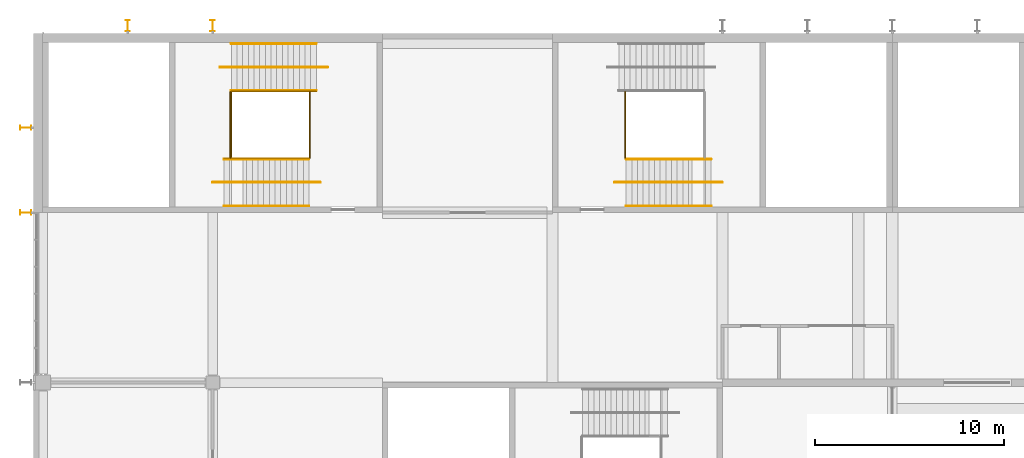
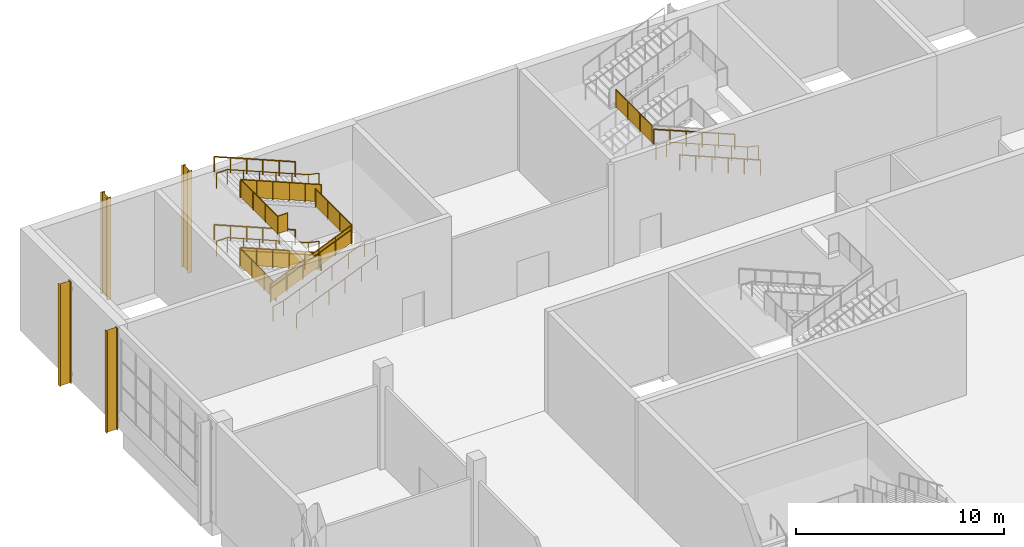
# One storey, part 84 of 89: 19 railings, 4 shading devices.
"""IFC4 building model written with IfcOpenShell, lengths in metres."""

from ifc_helpers import new_model, si_unit, direction, frame, origin, origin_2d, place, context, subcontext, project, spatial, polyline, circle, i_section, outline, extrude, material, material_profile, profile_set, type_object, element, save


model = new_model("IFC4")

# Units and contexts
model_context = context("Model", 3, precision=1e-05, world=origin(), true_north=direction((0.0, 1.0)))
body_context = subcontext(model_context, "Body", "Model", "MODEL_VIEW")
ifc_project = project(units=[si_unit("LENGTHUNIT", "METRE"), si_unit("AREAUNIT", "SQUARE_METRE"), si_unit("VOLUMEUNIT", "CUBIC_METRE"), si_unit("PLANEANGLEUNIT", "RADIAN"), si_unit("MASSUNIT", "GRAM", prefix="KILO")], contexts=[model_context])

# Site, building, storey
site_placement = place(None, origin())
site = spatial("IfcSite", under=ifc_project, at=site_placement, CompositionType="ELEMENT")
building_placement = place(site_placement, origin())
building = spatial("IfcBuilding", under=site, at=building_placement, Name="Silverbay Arena", CompositionType="ELEMENT")
storey_placement = place(building_placement, frame((0.0, 0.0, 22.0)))
storey = spatial("IfcBuildingStorey", under=building, at=storey_placement, Name="L03", CompositionType="ELEMENT", Elevation=22.0)

# Railings
ifc_material_1 = material(Name="Stainless steel", Category="steel")
railing_type_1 = type_object("IfcRailingType", Name="Stair guard 1100", PredefinedType="GUARDRAIL", material=ifc_material_1)
railing_1_placement = place(storey_placement, frame((84.85009765625, 137.89990234375, 4.0)))
element("IfcRailing", 1, at=railing_1_placement, inside=storey, type_object=railing_type_1, Name="Stair ST-N1 L03 to L04 landing 2 guard", PredefinedType="GUARDRAIL", context=body_context, shape_type="SweptSolid", body=[
    extrude(circle(Radius=0.02392578125, at=origin_2d()), frame((0.0, 0.0, 1.076171875), z_axis=(0.0, 1.0, 0.0), x_axis=(-1.0, 0.0, 0.0)), (0.0, 0.0, 1.0), 3.5),
    extrude(outline(polyline([(-0.008056640625, 0.050048828125), (1.174560546875, 0.050048828125), (1.174560546875, 1.052978515625), (-0.008056640625, 1.052978515625), (-0.008056640625, 0.050048828125)])), frame((-0.0029296875, 0.0, 0.0), z_axis=(1.0, 0.0, 0.0), x_axis=(0.0, 1.0, 0.0)), (0.0, 0.0, 1.0), 0.006103515625),
    extrude(outline(polyline([(-0.008056640625, 0.050048828125), (1.174560546875, 0.050048828125), (1.174560546875, 1.052978515625), (-0.008056640625, 1.052978515625), (-0.008056640625, 0.050048828125)])), frame((-0.0029296875, 1.166748046875, 0.0), z_axis=(1.0, 0.0, 0.0), x_axis=(0.0, 1.0, 0.0)), (0.0, 0.0, 1.0), 0.006103515625),
    extrude(outline(polyline([(-0.008056640625, 0.050048828125), (1.174560546875, 0.050048828125), (1.174560546875, 1.052978515625), (-0.008056640625, 1.052978515625), (-0.008056640625, 0.050048828125)])), frame((-0.0029296875, 2.333251953125, 0.0), z_axis=(1.0, 0.0, 0.0), x_axis=(0.0, 1.0, 0.0)), (0.0, 0.0, 1.0), 0.006103515625),
    extrude(circle(Radius=0.02099609375, at=origin_2d()), origin(), (0.0, 0.0, 1.0), 1.052001953125),
    extrude(circle(Radius=0.02099609375, at=origin_2d()), frame((0.0, 1.166748046875, 0.0)), (0.0, 0.0, 1.0), 1.052001953125),
    extrude(circle(Radius=0.02099609375, at=origin_2d()), frame((0.0, 2.333251953125, 0.0)), (0.0, 0.0, 1.0), 1.052001953125),
    extrude(circle(Radius=0.02099609375, at=origin_2d()), frame((0.0, 3.5, 0.0)), (0.0, 0.0, 1.0), 1.052001953125),
])
railing_2_placement = place(storey_placement, frame((68.489990234375, 141.425048828125, 0.125)))
element("IfcRailing", 2, at=railing_2_placement, inside=storey, type_object=railing_type_1, Name="Stair ST-N5 L03 to L04 flight 1 guard left", PredefinedType="GUARDRAIL", context=body_context, shape_type="SweptSolid", body=[
    extrude(circle(Radius=0.02392578125, at=origin_2d()), frame((0.0, 0.0, 1.076171875), z_axis=(-0.923076923077, 0.0, 0.384615384615), x_axis=(0.0, -1.0, 0.0)), (0.0, 0.0, 1.0), 4.875),
    extrude(outline(polyline([(-0.008056640625, 0.046630859375), (0.907958984375, 0.42822265625), (0.907958984375, 1.431396484375), (-0.008056640625, 1.049560546875), (-0.008056640625, 0.046630859375)])), frame((0.0, -0.0029296875, 0.0), z_axis=(0.0, 1.0, 0.0), x_axis=(-1.0, 0.0, 0.0)), (0.0, 0.0, 1.0), 0.006103515625),
    extrude(outline(polyline([(-0.008056640625, 0.421630859375), (0.907958984375, 0.80322265625), (0.907958984375, 1.806396484375), (-0.008056640625, 1.424560546875), (-0.008056640625, 0.421630859375)])), frame((-0.89990234375, -0.0029296875, 0.0), z_axis=(0.0, 1.0, 0.0), x_axis=(-1.0, 0.0, 0.0)), (0.0, 0.0, 1.0), 0.006103515625),
    extrude(outline(polyline([(-0.008056640625, 0.796630859375), (0.907958984375, 1.17822265625), (0.907958984375, 2.181396484375), (-0.008056640625, 1.799560546875), (-0.008056640625, 0.796630859375)])), frame((-1.800048828125, -0.0029296875, 0.0), z_axis=(0.0, 1.0, 0.0), x_axis=(-1.0, 0.0, 0.0)), (0.0, 0.0, 1.0), 0.006103515625),
    extrude(outline(polyline([(-0.008056640625, 1.171630859375), (0.907958984375, 1.55322265625), (0.907958984375, 2.556396484375), (-0.008056640625, 2.174560546875), (-0.008056640625, 1.171630859375)])), frame((-2.699951171875, -0.0029296875, 0.0), z_axis=(0.0, 1.0, 0.0), x_axis=(-1.0, 0.0, 0.0)), (0.0, 0.0, 1.0), 0.006103515625),
    extrude(outline(polyline([(-0.008056640625, 1.546630859375), (0.907958984375, 1.92822265625), (0.907958984375, 2.931396484375), (-0.008056640625, 2.549560546875), (-0.008056640625, 1.546630859375)])), frame((-3.60009765625, -0.0029296875, 0.0), z_axis=(0.0, 1.0, 0.0), x_axis=(-1.0, 0.0, 0.0)), (0.0, 0.0, 1.0), 0.006103515625),
    extrude(circle(Radius=0.02099609375, at=origin_2d()), origin(), (0.0, 0.0, 1.0), 1.052001953125),
    extrude(circle(Radius=0.02099609375, at=origin_2d()), frame((-0.89990234375, 0.0, 0.375)), (0.0, 0.0, 1.0), 1.052001953125),
    extrude(circle(Radius=0.02099609375, at=origin_2d()), frame((-1.800048828125, 0.0, 0.75)), (0.0, 0.0, 1.0), 1.052001953125),
    extrude(circle(Radius=0.02099609375, at=origin_2d()), frame((-2.699951171875, 0.0, 1.125)), (0.0, 0.0, 1.0), 1.052001953125),
    extrude(circle(Radius=0.02099609375, at=origin_2d()), frame((-3.60009765625, 0.0, 1.5)), (0.0, 0.0, 1.0), 1.052001953125),
    extrude(circle(Radius=0.02099609375, at=origin_2d()), frame((-4.5, 0.0, 1.875)), (0.0, 0.0, 1.0), 1.052001953125),
])
railing_3_placement = place(storey_placement, frame((63.60009765625, 137.875, 2.125)))
element("IfcRailing", 3, at=railing_3_placement, inside=storey, type_object=railing_type_1, Name="Stair ST-N5 L03 to L04 flight 2 guard right", PredefinedType="GUARDRAIL", context=body_context, shape_type="SweptSolid", body=[
    extrude(circle(Radius=0.02392578125, at=origin_2d()), frame((0.0, 0.0, 1.076171875), z_axis=(0.923076923077, 0.0, 0.384615384615), x_axis=(0.0, 1.0, 0.0)), (0.0, 0.0, 1.0), 4.875),
    extrude(outline(polyline([(-0.008056640625, 0.046630859375), (0.907958984375, 0.42822265625), (0.907958984375, 1.431396484375), (-0.008056640625, 1.049560546875), (-0.008056640625, 0.046630859375)])), frame((0.0, 0.0029296875, 0.0), z_axis=(0.0, -1.0, 0.0), x_axis=(1.0, 0.0, 0.0)), (0.0, 0.0, 1.0), 0.006103515625),
    extrude(outline(polyline([(-0.008056640625, 0.421630859375), (0.907958984375, 0.80322265625), (0.907958984375, 1.806396484375), (-0.008056640625, 1.424560546875), (-0.008056640625, 0.421630859375)])), frame((0.89990234375, 0.0029296875, 0.0), z_axis=(0.0, -1.0, 0.0), x_axis=(1.0, 0.0, 0.0)), (0.0, 0.0, 1.0), 0.006103515625),
    extrude(outline(polyline([(-0.008056640625, 0.796630859375), (0.907958984375, 1.17822265625), (0.907958984375, 2.181396484375), (-0.008056640625, 1.799560546875), (-0.008056640625, 0.796630859375)])), frame((1.800048828125, 0.0029296875, 0.0), z_axis=(0.0, -1.0, 0.0), x_axis=(1.0, 0.0, 0.0)), (0.0, 0.0, 1.0), 0.006103515625),
    extrude(outline(polyline([(-0.008056640625, 1.171630859375), (0.907958984375, 1.55322265625), (0.907958984375, 2.556396484375), (-0.008056640625, 2.174560546875), (-0.008056640625, 1.171630859375)])), frame((2.699951171875, 0.0029296875, 0.0), z_axis=(0.0, -1.0, 0.0), x_axis=(1.0, 0.0, 0.0)), (0.0, 0.0, 1.0), 0.006103515625),
    extrude(outline(polyline([(-0.008056640625, 1.546630859375), (0.907958984375, 1.92822265625), (0.907958984375, 2.931396484375), (-0.008056640625, 2.549560546875), (-0.008056640625, 1.546630859375)])), frame((3.60009765625, 0.0029296875, 0.0), z_axis=(0.0, -1.0, 0.0), x_axis=(1.0, 0.0, 0.0)), (0.0, 0.0, 1.0), 0.006103515625),
    extrude(circle(Radius=0.02099609375, at=origin_2d()), origin(), (0.0, 0.0, 1.0), 1.052001953125),
    extrude(circle(Radius=0.02099609375, at=origin_2d()), frame((0.89990234375, 0.0, 0.375)), (0.0, 0.0, 1.0), 1.052001953125),
    extrude(circle(Radius=0.02099609375, at=origin_2d()), frame((1.800048828125, 0.0, 0.75)), (0.0, 0.0, 1.0), 1.052001953125),
    extrude(circle(Radius=0.02099609375, at=origin_2d()), frame((2.699951171875, 0.0, 1.125)), (0.0, 0.0, 1.0), 1.052001953125),
    extrude(circle(Radius=0.02099609375, at=origin_2d()), frame((3.60009765625, 0.0, 1.5)), (0.0, 0.0, 1.0), 1.052001953125),
    extrude(circle(Radius=0.02099609375, at=origin_2d()), frame((4.5, 0.0, 1.875)), (0.0, 0.0, 1.0), 1.052001953125),
])
railing_4_placement = place(storey_placement, frame((68.489990234375, 141.425048828125, 4.125)))
element("IfcRailing", 4, at=railing_4_placement, inside=storey, type_object=railing_type_1, Name="Stair ST-N5 L03 to L04 flight 3 guard left", PredefinedType="GUARDRAIL", context=body_context, shape_type="SweptSolid", body=[
    extrude(circle(Radius=0.02392578125, at=origin_2d()), frame((0.0, 0.0, 1.076171875), z_axis=(-0.923076923077, 0.0, 0.384615384615), x_axis=(0.0, -1.0, 0.0)), (0.0, 0.0, 1.0), 4.875),
    extrude(outline(polyline([(-0.008056640625, 0.046630859375), (0.907958984375, 0.42822265625), (0.907958984375, 1.431396484375), (-0.008056640625, 1.049560546875), (-0.008056640625, 0.046630859375)])), frame((0.0, -0.0029296875, 0.0), z_axis=(0.0, 1.0, 0.0), x_axis=(-1.0, 0.0, 0.0)), (0.0, 0.0, 1.0), 0.006103515625),
    extrude(outline(polyline([(-0.008056640625, 0.421630859375), (0.907958984375, 0.80322265625), (0.907958984375, 1.806396484375), (-0.008056640625, 1.424560546875), (-0.008056640625, 0.421630859375)])), frame((-0.89990234375, -0.0029296875, 0.0), z_axis=(0.0, 1.0, 0.0), x_axis=(-1.0, 0.0, 0.0)), (0.0, 0.0, 1.0), 0.006103515625),
    extrude(outline(polyline([(-0.008056640625, 0.796630859375), (0.907958984375, 1.17822265625), (0.907958984375, 2.181396484375), (-0.008056640625, 1.799560546875), (-0.008056640625, 0.796630859375)])), frame((-1.800048828125, -0.0029296875, 0.0), z_axis=(0.0, 1.0, 0.0), x_axis=(-1.0, 0.0, 0.0)), (0.0, 0.0, 1.0), 0.006103515625),
    extrude(outline(polyline([(-0.008056640625, 1.171630859375), (0.907958984375, 1.55322265625), (0.907958984375, 2.556396484375), (-0.008056640625, 2.174560546875), (-0.008056640625, 1.171630859375)])), frame((-2.699951171875, -0.0029296875, 0.0), z_axis=(0.0, 1.0, 0.0), x_axis=(-1.0, 0.0, 0.0)), (0.0, 0.0, 1.0), 0.006103515625),
    extrude(outline(polyline([(-0.008056640625, 1.546630859375), (0.907958984375, 1.92822265625), (0.907958984375, 2.931396484375), (-0.008056640625, 2.549560546875), (-0.008056640625, 1.546630859375)])), frame((-3.60009765625, -0.0029296875, 0.0), z_axis=(0.0, 1.0, 0.0), x_axis=(-1.0, 0.0, 0.0)), (0.0, 0.0, 1.0), 0.006103515625),
    extrude(circle(Radius=0.02099609375, at=origin_2d()), origin(), (0.0, 0.0, 1.0), 1.052001953125),
    extrude(circle(Radius=0.02099609375, at=origin_2d()), frame((-0.89990234375, 0.0, 0.375)), (0.0, 0.0, 1.0), 1.052001953125),
    extrude(circle(Radius=0.02099609375, at=origin_2d()), frame((-1.800048828125, 0.0, 0.75)), (0.0, 0.0, 1.0), 1.052001953125),
    extrude(circle(Radius=0.02099609375, at=origin_2d()), frame((-2.699951171875, 0.0, 1.125)), (0.0, 0.0, 1.0), 1.052001953125),
    extrude(circle(Radius=0.02099609375, at=origin_2d()), frame((-3.60009765625, 0.0, 1.5)), (0.0, 0.0, 1.0), 1.052001953125),
    extrude(circle(Radius=0.02099609375, at=origin_2d()), frame((-4.5, 0.0, 1.875)), (0.0, 0.0, 1.0), 1.052001953125),
])
for number, where, name in (
    (5, (63.93994140625, 137.89990234375, 2.0), "Stair ST-N5 L03 to L04 landing 1 guard"),
    (6, (68.14990234375, 137.89990234375, 4.0), "Stair ST-N5 L03 to L04 landing 2 guard"),
):
    element("IfcRailing", number, at=place(storey_placement, frame(where)), inside=storey, type_object=railing_type_1, Name=name, PredefinedType="GUARDRAIL", context=body_context, shape_type="SweptSolid", body=[
        extrude(circle(Radius=0.02392578125, at=origin_2d()), frame((0.0, 0.0, 1.076171875), z_axis=(0.0, 1.0, 0.0), x_axis=(-1.0, 0.0, 0.0)), (0.0, 0.0, 1.0), 3.5),
        extrude(outline(polyline([(-0.008056640625, 0.050048828125), (1.174560546875, 0.050048828125), (1.174560546875, 1.052978515625), (-0.008056640625, 1.052978515625), (-0.008056640625, 0.050048828125)])), frame((-0.0029296875, 0.0, 0.0), z_axis=(1.0, 0.0, 0.0), x_axis=(0.0, 1.0, 0.0)), (0.0, 0.0, 1.0), 0.006103515625),
        extrude(outline(polyline([(-0.008056640625, 0.050048828125), (1.174560546875, 0.050048828125), (1.174560546875, 1.052978515625), (-0.008056640625, 1.052978515625), (-0.008056640625, 0.050048828125)])), frame((-0.0029296875, 1.166748046875, 0.0), z_axis=(1.0, 0.0, 0.0), x_axis=(0.0, 1.0, 0.0)), (0.0, 0.0, 1.0), 0.006103515625),
        extrude(outline(polyline([(-0.008056640625, 0.050048828125), (1.174560546875, 0.050048828125), (1.174560546875, 1.052978515625), (-0.008056640625, 1.052978515625), (-0.008056640625, 0.050048828125)])), frame((-0.0029296875, 2.333251953125, 0.0), z_axis=(1.0, 0.0, 0.0), x_axis=(0.0, 1.0, 0.0)), (0.0, 0.0, 1.0), 0.006103515625),
        extrude(circle(Radius=0.02099609375, at=origin_2d()), origin(), (0.0, 0.0, 1.0), 1.052001953125),
        extrude(circle(Radius=0.02099609375, at=origin_2d()), frame((0.0, 1.166748046875, 0.0)), (0.0, 0.0, 1.0), 1.052001953125),
        extrude(circle(Radius=0.02099609375, at=origin_2d()), frame((0.0, 2.333251953125, 0.0)), (0.0, 0.0, 1.0), 1.052001953125),
        extrude(circle(Radius=0.02099609375, at=origin_2d()), frame((0.0, 3.5, 0.0)), (0.0, 0.0, 1.0), 1.052001953125),
    ])
railing_5_placement = place(storey_placement, frame((64.550048828125, 137.85009765625, 6.0)))
element("IfcRailing", 7, at=railing_5_placement, inside=storey, type_object=railing_type_1, Name="Stair ST-N5 L03 to L04 landing 3 guard", PredefinedType="GUARDRAIL", context=body_context, shape_type="SweptSolid", body=[
    extrude(circle(Radius=0.02392578125, at=origin_2d()), frame((0.0, 0.0, 1.076171875), z_axis=(-1.0, 0.0, 0.0), x_axis=(0.0, -1.0, 0.0)), (0.0, 0.0, 1.0), 0.56005859375),
    extrude(outline(polyline([(-0.008056640625, 0.050048828125), (0.568115234375, 0.050048828125), (0.568115234375, 1.052978515625), (-0.008056640625, 1.052978515625), (-0.008056640625, 0.050048828125)])), frame((0.0, -0.0029296875, 0.0), z_axis=(0.0, 1.0, 0.0), x_axis=(-1.0, 0.0, 0.0)), (0.0, 0.0, 1.0), 0.006103515625),
    extrude(circle(Radius=0.02392578125, at=origin_2d()), frame((-0.56005859375, 0.0, 1.076171875), z_axis=(0.0, 1.0, 0.0), x_axis=(-1.0, 0.0, 0.0)), (0.0, 0.0, 1.0), 3.5498046875),
    extrude(outline(polyline([(-0.008056640625, 0.050048828125), (1.191162109375, 0.050048828125), (1.191162109375, 1.052978515625), (-0.008056640625, 1.052978515625), (-0.008056640625, 0.050048828125)])), frame((-0.56298828125, 0.0, 0.0), z_axis=(1.0, 0.0, 0.0), x_axis=(0.0, 1.0, 0.0)), (0.0, 0.0, 1.0), 0.006103515625),
    extrude(outline(polyline([(-0.008056640625, 0.050048828125), (1.191162109375, 0.050048828125), (1.191162109375, 1.052978515625), (-0.008056640625, 1.052978515625), (-0.008056640625, 0.050048828125)])), frame((-0.56298828125, 1.183349609375, 0.0), z_axis=(1.0, 0.0, 0.0), x_axis=(0.0, 1.0, 0.0)), (0.0, 0.0, 1.0), 0.006103515625),
    extrude(outline(polyline([(-0.008056640625, 0.050048828125), (1.191162109375, 0.050048828125), (1.191162109375, 1.052978515625), (-0.008056640625, 1.052978515625), (-0.008056640625, 0.050048828125)])), frame((-0.56298828125, 2.366455078125, 0.0), z_axis=(1.0, 0.0, 0.0), x_axis=(0.0, 1.0, 0.0)), (0.0, 0.0, 1.0), 0.006103515625),
    extrude(circle(Radius=0.02099609375, at=origin_2d()), origin(), (0.0, 0.0, 1.0), 1.052001953125),
    extrude(circle(Radius=0.02099609375, at=origin_2d()), frame((-0.56005859375, 0.0, 0.0)), (0.0, 0.0, 1.0), 1.052001953125),
    extrude(circle(Radius=0.02099609375, at=origin_2d()), frame((-0.56005859375, 1.183349609375, 0.0)), (0.0, 0.0, 1.0), 1.052001953125),
    extrude(circle(Radius=0.02099609375, at=origin_2d()), frame((-0.56005859375, 2.366455078125, 0.0)), (0.0, 0.0, 1.0), 1.052001953125),
    extrude(circle(Radius=0.02099609375, at=origin_2d()), frame((-0.56005859375, 3.5498046875, 0.0)), (0.0, 0.0, 1.0), 1.052001953125),
])
ifc_material_2 = material(Name="Stainless steel", Category="steel")
railing_type_2 = type_object("IfcRailingType", Name="Stair handrail 900", PredefinedType="HANDRAIL", material=ifc_material_2)
for number, where, name in (
    (8, (89.39990234375, 135.35009765625, 2.125), "Stair ST-N1 L03 to L04 flight 2 handrail left"),
    (9, (89.39990234375, 137.8359375, 2.125), "Stair ST-N1 L03 to L04 flight 2 handrail right"),
):
    element("IfcRailing", number, at=place(storey_placement, frame(where)), inside=storey, type_object=railing_type_2, Name=name, PredefinedType="HANDRAIL", context=body_context, shape_type="SweptSolid", body=[
        extrude(circle(Radius=0.02392578125, at=origin_2d()), frame((0.0, 0.0, 0.8759765625), z_axis=(-0.923076923077, 0.0, 0.384615384615), x_axis=(0.0, -1.0, 0.0)), (0.0, 0.0, 1.0), 4.875),
        extrude(circle(Radius=0.02099609375, at=origin_2d()), origin(), (0.0, 0.0, 1.0), 0.851806640625),
        extrude(circle(Radius=0.02099609375, at=origin_2d()), frame((-0.89990234375, 0.0, 0.375)), (0.0, 0.0, 1.0), 0.851806640625),
        extrude(circle(Radius=0.02099609375, at=origin_2d()), frame((-1.800048828125, 0.0, 0.75)), (0.0, 0.0, 1.0), 0.851806640625),
        extrude(circle(Radius=0.02099609375, at=origin_2d()), frame((-2.699951171875, 0.0, 1.125)), (0.0, 0.0, 1.0), 0.851806640625),
        extrude(circle(Radius=0.02099609375, at=origin_2d()), frame((-3.60009765625, 0.0, 1.5)), (0.0, 0.0, 1.0), 0.851806640625),
        extrude(circle(Radius=0.02099609375, at=origin_2d()), frame((-4.5, 0.0, 1.875)), (0.0, 0.0, 1.0), 0.851806640625),
    ])
railing_6_placement = place(storey_placement, frame((90.0, 136.60009765625, 2.0)))
element("IfcRailing", 10, at=railing_6_placement, inside=storey, type_object=railing_type_2, Name="Stair ST-N1 L03 to L04 flight 2 central handrail", PredefinedType="HANDRAIL", context=body_context, shape_type="SweptSolid", body=[
    extrude(circle(Radius=0.02392578125, at=origin_2d()), frame((0.0, 0.0, 0.8759765625), z_axis=(-0.978987046276, 0.0, 0.203922444139), x_axis=(0.0, -1.0, 0.0)), (0.0, 0.0, 1.0), 0.613037109375),
    extrude(circle(Radius=0.02392578125, at=origin_2d()), frame((-0.60009765625, 0.0, 1.0009765625), z_axis=(-0.923076923077, 0.0, 0.384615384615), x_axis=(0.0, -1.0, 0.0)), (0.0, 0.0, 1.0), 4.875),
    extrude(circle(Radius=0.02392578125, at=origin_2d()), frame((-5.10009765625, 0.0, 2.8759765625), z_axis=(-1.0, 0.0, 0.0), x_axis=(0.0, -1.0, 0.0)), (0.0, 0.0, 1.0), 0.599853515625),
    extrude(circle(Radius=0.02099609375, at=origin_2d()), origin(), (0.0, 0.0, 1.0), 0.851806640625),
    extrude(circle(Radius=0.02099609375, at=origin_2d()), frame((-0.60009765625, 0.0, 0.125)), (0.0, 0.0, 1.0), 0.851806640625),
    extrude(circle(Radius=0.02099609375, at=origin_2d()), frame((-1.5, 0.0, 0.5)), (0.0, 0.0, 1.0), 0.851806640625),
    extrude(circle(Radius=0.02099609375, at=origin_2d()), frame((-2.400146484375, 0.0, 0.875)), (0.0, 0.0, 1.0), 0.851806640625),
    extrude(circle(Radius=0.02099609375, at=origin_2d()), frame((-3.300048828125, 0.0, 1.25)), (0.0, 0.0, 1.0), 0.851806640625),
    extrude(circle(Radius=0.02099609375, at=origin_2d()), frame((-4.2001953125, 0.0, 1.625)), (0.0, 0.0, 1.0), 0.851806640625),
    extrude(circle(Radius=0.02099609375, at=origin_2d()), frame((-5.10009765625, 0.0, 2.0)), (0.0, 0.0, 1.0), 0.851806640625),
    extrude(circle(Radius=0.02099609375, at=origin_2d()), frame((-5.699951171875, 0.0, 2.0)), (0.0, 0.0, 1.0), 0.851806640625),
])
for number, where, name in (
    (11, (68.489990234375, 141.464111328125, 0.125), "Stair ST-N5 L03 to L04 flight 1 handrail left"),
    (12, (68.489990234375, 143.949951171875, 0.125), "Stair ST-N5 L03 to L04 flight 1 handrail right"),
):
    element("IfcRailing", number, at=place(storey_placement, frame(where)), inside=storey, type_object=railing_type_2, Name=name, PredefinedType="HANDRAIL", context=body_context, shape_type="SweptSolid", body=[
        extrude(circle(Radius=0.02392578125, at=origin_2d()), frame((0.0, 0.0, 0.8759765625), z_axis=(-0.923076923077, 0.0, 0.384615384615), x_axis=(0.0, -1.0, 0.0)), (0.0, 0.0, 1.0), 4.875),
        extrude(circle(Radius=0.02099609375, at=origin_2d()), origin(), (0.0, 0.0, 1.0), 0.851806640625),
        extrude(circle(Radius=0.02099609375, at=origin_2d()), frame((-0.89990234375, 0.0, 0.375)), (0.0, 0.0, 1.0), 0.851806640625),
        extrude(circle(Radius=0.02099609375, at=origin_2d()), frame((-1.800048828125, 0.0, 0.75)), (0.0, 0.0, 1.0), 0.851806640625),
        extrude(circle(Radius=0.02099609375, at=origin_2d()), frame((-2.699951171875, 0.0, 1.125)), (0.0, 0.0, 1.0), 0.851806640625),
        extrude(circle(Radius=0.02099609375, at=origin_2d()), frame((-3.60009765625, 0.0, 1.5)), (0.0, 0.0, 1.0), 0.851806640625),
        extrude(circle(Radius=0.02099609375, at=origin_2d()), frame((-4.5, 0.0, 1.875)), (0.0, 0.0, 1.0), 0.851806640625),
    ])
railing_7_placement = place(storey_placement, frame((69.090087890625, 142.699951171875, 0.0)))
element("IfcRailing", 13, at=railing_7_placement, inside=storey, type_object=railing_type_2, Name="Stair ST-N5 L03 to L04 flight 1 central handrail", PredefinedType="HANDRAIL", context=body_context, shape_type="SweptSolid", body=[
    extrude(circle(Radius=0.02392578125, at=origin_2d()), frame((0.0, 0.0, 0.8759765625), z_axis=(-0.978987046276, 0.0, 0.203922444139), x_axis=(0.0, -1.0, 0.0)), (0.0, 0.0, 1.0), 0.613037109375),
    extrude(circle(Radius=0.02392578125, at=origin_2d()), frame((-0.60009765625, 0.0, 1.0009765625), z_axis=(-0.923076923077, 0.0, 0.384615384615), x_axis=(0.0, -1.0, 0.0)), (0.0, 0.0, 1.0), 4.875),
    extrude(circle(Radius=0.02392578125, at=origin_2d()), frame((-5.10009765625, 0.0, 2.8759765625), z_axis=(-1.0, 0.0, 0.0), x_axis=(0.0, -1.0, 0.0)), (0.0, 0.0, 1.0), 0.60009765625),
    extrude(circle(Radius=0.02099609375, at=origin_2d()), origin(), (0.0, 0.0, 1.0), 0.851806640625),
    extrude(circle(Radius=0.02099609375, at=origin_2d()), frame((-0.60009765625, 0.0, 0.125)), (0.0, 0.0, 1.0), 0.851806640625),
    extrude(circle(Radius=0.02099609375, at=origin_2d()), frame((-1.5, 0.0, 0.5)), (0.0, 0.0, 1.0), 0.851806640625),
    extrude(circle(Radius=0.02099609375, at=origin_2d()), frame((-2.400146484375, 0.0, 0.875)), (0.0, 0.0, 1.0), 0.851806640625),
    extrude(circle(Radius=0.02099609375, at=origin_2d()), frame((-3.300048828125, 0.0, 1.25)), (0.0, 0.0, 1.0), 0.851806640625),
    extrude(circle(Radius=0.02099609375, at=origin_2d()), frame((-4.2001953125, 0.0, 1.625)), (0.0, 0.0, 1.0), 0.851806640625),
    extrude(circle(Radius=0.02099609375, at=origin_2d()), frame((-5.10009765625, 0.0, 2.0)), (0.0, 0.0, 1.0), 0.851806640625),
    extrude(circle(Radius=0.02099609375, at=origin_2d()), frame((-5.7001953125, 0.0, 2.0)), (0.0, 0.0, 1.0), 0.851806640625),
])
for number, where, name in (
    (14, (63.60009765625, 135.35009765625, 2.125), "Stair ST-N5 L03 to L04 flight 2 handrail left"),
    (15, (63.60009765625, 137.8359375, 2.125), "Stair ST-N5 L03 to L04 flight 2 handrail right"),
):
    element("IfcRailing", number, at=place(storey_placement, frame(where)), inside=storey, type_object=railing_type_2, Name=name, PredefinedType="HANDRAIL", context=body_context, shape_type="SweptSolid", body=[
        extrude(circle(Radius=0.02392578125, at=origin_2d()), frame((0.0, 0.0, 0.8759765625), z_axis=(0.923076923077, 0.0, 0.384615384615), x_axis=(0.0, 1.0, 0.0)), (0.0, 0.0, 1.0), 4.875),
        extrude(circle(Radius=0.02099609375, at=origin_2d()), origin(), (0.0, 0.0, 1.0), 0.851806640625),
        extrude(circle(Radius=0.02099609375, at=origin_2d()), frame((0.89990234375, 0.0, 0.375)), (0.0, 0.0, 1.0), 0.851806640625),
        extrude(circle(Radius=0.02099609375, at=origin_2d()), frame((1.800048828125, 0.0, 0.75)), (0.0, 0.0, 1.0), 0.851806640625),
        extrude(circle(Radius=0.02099609375, at=origin_2d()), frame((2.699951171875, 0.0, 1.125)), (0.0, 0.0, 1.0), 0.851806640625),
        extrude(circle(Radius=0.02099609375, at=origin_2d()), frame((3.60009765625, 0.0, 1.5)), (0.0, 0.0, 1.0), 0.851806640625),
        extrude(circle(Radius=0.02099609375, at=origin_2d()), frame((4.5, 0.0, 1.875)), (0.0, 0.0, 1.0), 0.851806640625),
    ])
railing_8_placement = place(storey_placement, frame((63.0, 136.60009765625, 2.0)))
element("IfcRailing", 16, at=railing_8_placement, inside=storey, type_object=railing_type_2, Name="Stair ST-N5 L03 to L04 flight 2 central handrail", PredefinedType="HANDRAIL", context=body_context, shape_type="SweptSolid", body=[
    extrude(circle(Radius=0.02392578125, at=origin_2d()), frame((0.0, 0.0, 0.8759765625), z_axis=(0.978987046276, 0.0, 0.203922444139), x_axis=(0.0, 1.0, 0.0)), (0.0, 0.0, 1.0), 0.613037109375),
    extrude(circle(Radius=0.02392578125, at=origin_2d()), frame((0.60009765625, 0.0, 1.0009765625), z_axis=(0.923076923077, 0.0, 0.384615384615), x_axis=(0.0, 1.0, 0.0)), (0.0, 0.0, 1.0), 4.875),
    extrude(circle(Radius=0.02392578125, at=origin_2d()), frame((5.10009765625, 0.0, 2.8759765625), z_axis=(1.0, 0.0, 0.0), x_axis=(0.0, 1.0, 0.0)), (0.0, 0.0, 1.0), 0.599853515625),
    extrude(circle(Radius=0.02099609375, at=origin_2d()), origin(), (0.0, 0.0, 1.0), 0.851806640625),
    extrude(circle(Radius=0.02099609375, at=origin_2d()), frame((0.60009765625, 0.0, 0.125)), (0.0, 0.0, 1.0), 0.851806640625),
    extrude(circle(Radius=0.02099609375, at=origin_2d()), frame((1.5, 0.0, 0.5)), (0.0, 0.0, 1.0), 0.851806640625),
    extrude(circle(Radius=0.02099609375, at=origin_2d()), frame((2.400146484375, 0.0, 0.875)), (0.0, 0.0, 1.0), 0.851806640625),
    extrude(circle(Radius=0.02099609375, at=origin_2d()), frame((3.300048828125, 0.0, 1.25)), (0.0, 0.0, 1.0), 0.851806640625),
    extrude(circle(Radius=0.02099609375, at=origin_2d()), frame((4.2001953125, 0.0, 1.625)), (0.0, 0.0, 1.0), 0.851806640625),
    extrude(circle(Radius=0.02099609375, at=origin_2d()), frame((5.10009765625, 0.0, 2.0)), (0.0, 0.0, 1.0), 0.851806640625),
    extrude(circle(Radius=0.02099609375, at=origin_2d()), frame((5.699951171875, 0.0, 2.0)), (0.0, 0.0, 1.0), 0.851806640625),
])
for number, where, name in (
    (17, (68.489990234375, 141.464111328125, 4.125), "Stair ST-N5 L03 to L04 flight 3 handrail left"),
    (18, (68.489990234375, 143.949951171875, 4.125), "Stair ST-N5 L03 to L04 flight 3 handrail right"),
):
    element("IfcRailing", number, at=place(storey_placement, frame(where)), inside=storey, type_object=railing_type_2, Name=name, PredefinedType="HANDRAIL", context=body_context, shape_type="SweptSolid", body=[
        extrude(circle(Radius=0.02392578125, at=origin_2d()), frame((0.0, 0.0, 0.8759765625), z_axis=(-0.923076923077, 0.0, 0.384615384615), x_axis=(0.0, -1.0, 0.0)), (0.0, 0.0, 1.0), 4.875),
        extrude(circle(Radius=0.02099609375, at=origin_2d()), origin(), (0.0, 0.0, 1.0), 0.851806640625),
        extrude(circle(Radius=0.02099609375, at=origin_2d()), frame((-0.89990234375, 0.0, 0.375)), (0.0, 0.0, 1.0), 0.851806640625),
        extrude(circle(Radius=0.02099609375, at=origin_2d()), frame((-1.800048828125, 0.0, 0.75)), (0.0, 0.0, 1.0), 0.851806640625),
        extrude(circle(Radius=0.02099609375, at=origin_2d()), frame((-2.699951171875, 0.0, 1.125)), (0.0, 0.0, 1.0), 0.851806640625),
        extrude(circle(Radius=0.02099609375, at=origin_2d()), frame((-3.60009765625, 0.0, 1.5)), (0.0, 0.0, 1.0), 0.851806640625),
        extrude(circle(Radius=0.02099609375, at=origin_2d()), frame((-4.5, 0.0, 1.875)), (0.0, 0.0, 1.0), 0.851806640625),
    ])
railing_9_placement = place(storey_placement, frame((69.090087890625, 142.699951171875, 4.0)))
element("IfcRailing", 19, at=railing_9_placement, inside=storey, type_object=railing_type_2, Name="Stair ST-N5 L03 to L04 flight 3 central handrail", PredefinedType="HANDRAIL", context=body_context, shape_type="SweptSolid", body=[
    extrude(circle(Radius=0.02392578125, at=origin_2d()), frame((0.0, 0.0, 0.8759765625), z_axis=(-0.978987046276, 0.0, 0.203922444139), x_axis=(0.0, -1.0, 0.0)), (0.0, 0.0, 1.0), 0.613037109375),
    extrude(circle(Radius=0.02392578125, at=origin_2d()), frame((-0.60009765625, 0.0, 1.0009765625), z_axis=(-0.923076923077, 0.0, 0.384615384615), x_axis=(0.0, -1.0, 0.0)), (0.0, 0.0, 1.0), 4.875),
    extrude(circle(Radius=0.02392578125, at=origin_2d()), frame((-5.10009765625, 0.0, 2.8759765625), z_axis=(-1.0, 0.0, 0.0), x_axis=(0.0, -1.0, 0.0)), (0.0, 0.0, 1.0), 0.60009765625),
    extrude(circle(Radius=0.02099609375, at=origin_2d()), origin(), (0.0, 0.0, 1.0), 0.851806640625),
    extrude(circle(Radius=0.02099609375, at=origin_2d()), frame((-0.60009765625, 0.0, 0.125)), (0.0, 0.0, 1.0), 0.851806640625),
    extrude(circle(Radius=0.02099609375, at=origin_2d()), frame((-1.5, 0.0, 0.5)), (0.0, 0.0, 1.0), 0.851806640625),
    extrude(circle(Radius=0.02099609375, at=origin_2d()), frame((-2.400146484375, 0.0, 0.875)), (0.0, 0.0, 1.0), 0.851806640625),
    extrude(circle(Radius=0.02099609375, at=origin_2d()), frame((-3.300048828125, 0.0, 1.25)), (0.0, 0.0, 1.0), 0.851806640625),
    extrude(circle(Radius=0.02099609375, at=origin_2d()), frame((-4.2001953125, 0.0, 1.625)), (0.0, 0.0, 1.0), 0.851806640625),
    extrude(circle(Radius=0.02099609375, at=origin_2d()), frame((-5.10009765625, 0.0, 2.0)), (0.0, 0.0, 1.0), 0.851806640625),
    extrude(circle(Radius=0.02099609375, at=origin_2d()), frame((-5.7001953125, 0.0, 2.0)), (0.0, 0.0, 1.0), 0.851806640625),
])

# Shading devices
ifc_material_3 = material(Name="Steel S355", Category="steel")
ifc_material_profile = material_profile(ifc_material_3, i_section(OverallWidth=0.2275390625, OverallDepth=0.6025390625, WebThickness=0.010498046875, FlangeThickness=0.014892578125, at=origin_2d()), Name="UB 610x229x101")
ifc_profile_set = profile_set([ifc_material_profile], Name="Steel S355")
shading_device_type = type_object("IfcShadingDeviceType", Name="Steel fin UB 610x229x101", PredefinedType="USERDEFINED", material=ifc_profile_set)
for number, where, z_axis, x_axis, name in (
    (20, (58.5, 144.9013671875, 0.0), (0.0, 0.0, 1.0), (1.0, 0.0, 0.0), "Steel fin N L03 1"),
    (21, (63.0, 144.9013671875, 0.0), (0.0, 0.0, 1.0), (1.0, 0.0, 0.0), "Steel fin N L03 2"),
    (22, (53.0986328125, 135.0, 0.0), (0.0, 0.0, 1.0), (0.0, 1.0, 0.0), "Steel fin W L03 26"),
    (23, (53.0986328125, 139.5, 0.0), (0.0, 0.0, 1.0), (0.0, 1.0, 0.0), "Steel fin W L03 27"),
):
    element("IfcShadingDevice", number, at=place(storey_placement, frame(where, z_axis=z_axis, x_axis=x_axis)), inside=storey, type_object=shading_device_type, Name=name, ObjectType="FIN", PredefinedType="USERDEFINED", context=body_context, shape_type="SweptSolid", body=[
        extrude(i_section(OverallWidth=0.2275390625, OverallDepth=0.6025390625, WebThickness=0.010498046875, FlangeThickness=0.014892578125, at=origin_2d()), origin(), (0.0, 0.0, 1.0), 6.0),
    ])

save(model, "model.ifc")
